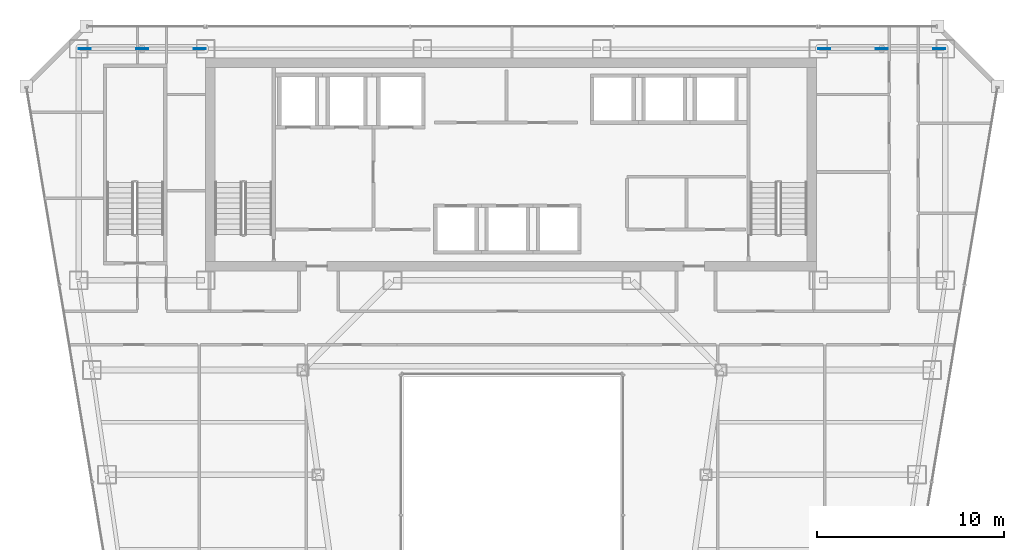
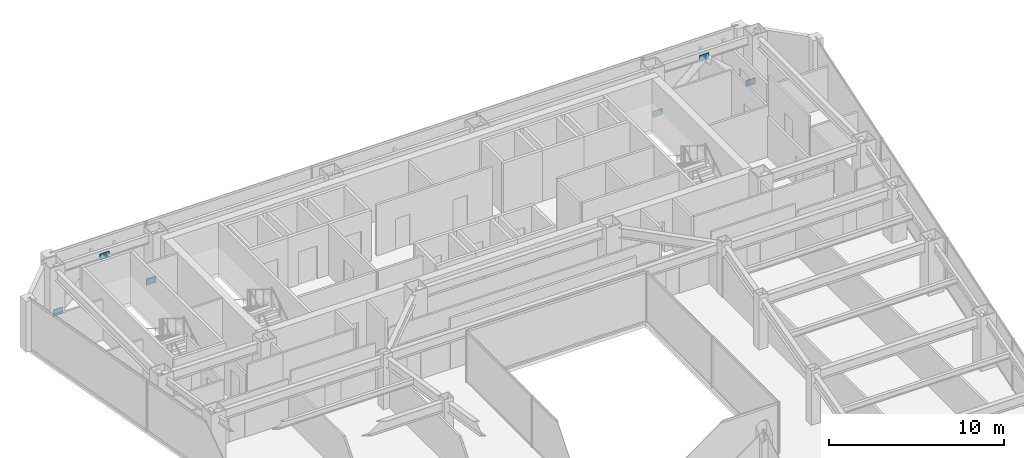
# One storey, part 31 of 38: 6 plates.
"""IFC4 building model written with IfcOpenShell, lengths in metres."""

from ifc_helpers import new_model, si_unit, direction, frame, origin, origin_2d, place, context, subcontext, project, spatial, rectangle, extrude, material, layer, layer_set, type_object, element, save


model = new_model("IFC4")

# Units and contexts
model_context = context("Model", 3, precision=1e-05, world=origin(), true_north=direction((0.0, 1.0)))
body_context = subcontext(model_context, "Body", "Model", "MODEL_VIEW")
ifc_project = project(units=[si_unit("LENGTHUNIT", "METRE"), si_unit("AREAUNIT", "SQUARE_METRE"), si_unit("VOLUMEUNIT", "CUBIC_METRE"), si_unit("PLANEANGLEUNIT", "RADIAN"), si_unit("MASSUNIT", "GRAM", prefix="KILO")], contexts=[model_context])

# Site, building, storey
site_placement = place(None, origin())
site = spatial("IfcSite", under=ifc_project, at=site_placement, CompositionType="ELEMENT")
building_placement = place(site_placement, origin())
building = spatial("IfcBuilding", under=site, at=building_placement, Name="Saevonmaru Cultural Tower", CompositionType="ELEMENT")
storey_placement = place(building_placement, frame((0.0, 0.0, 137.199951171875)))
storey = spatial("IfcBuildingStorey", under=building, at=storey_placement, Name="L29", CompositionType="ELEMENT", Elevation=137.199951171875)

# Plates
ifc_material = material(Name="Steel HSA600 (600 MPa)", Category="steel")
ifc_layer = layer(ifc_material, 0.0400390625, Name="Steel HSA600 (600 MPa)")
ifc_layer_set = layer_set([ifc_layer], Name="Steel HSA600 (600 MPa)")
plate_type = type_object("IfcPlateType", Name="PL-GUSSET-EXT", PredefinedType="USERDEFINED", material=ifc_layer_set)
for number, where, z_axis, x_axis, name in (
    (1, (10.199951171875, 54.800048828125, 2.85009765625), (0.0, 0.0, 1.0), (1.0, 0.0, 0.0), "L29 Perimeter Tube Gusset Plate"),
    (2, (7.1201171875, 54.800048828125, 0.02001953125), (0.0, 0.0, 1.0), (1.0, 0.0, 0.0), "L29 Perimeter Tube Gusset Plate"),
    (3, (13.280029296875, 54.800048828125, 0.02001953125), (0.0, 0.0, 1.0), (1.0, 0.0, 0.0), "L29 Perimeter Tube Gusset Plate"),
    (4, (49.800048828125, 54.800048828125, 2.85009765625), (0.0, 0.0, 1.0), (1.0, 0.0, 0.0), "L29 Perimeter Tube Gusset Plate"),
    (5, (46.719970703125, 54.800048828125, 0.02001953125), (0.0, 0.0, 1.0), (1.0, 0.0, 0.0), "L29 Perimeter Tube Gusset Plate"),
    (6, (52.8798828125, 54.800048828125, 0.02001953125), (0.0, 0.0, 1.0), (1.0, 0.0, 0.0), "L29 Perimeter Tube Gusset Plate"),
):
    element("IfcPlate", number, at=place(storey_placement, frame(where, z_axis=z_axis, x_axis=x_axis)), inside=storey, type_object=plate_type, Name=name, ObjectType="GUSSET_PLATE", PredefinedType="USERDEFINED", context=body_context, shape_type="SweptSolid", body=[
        extrude(rectangle(XDim=0.639892578125, YDim=0.0400390625, at=origin_2d()), origin(), (0.0, 0.0, 1.0), 0.43994140625),
    ])

save(model, "model.ifc")
